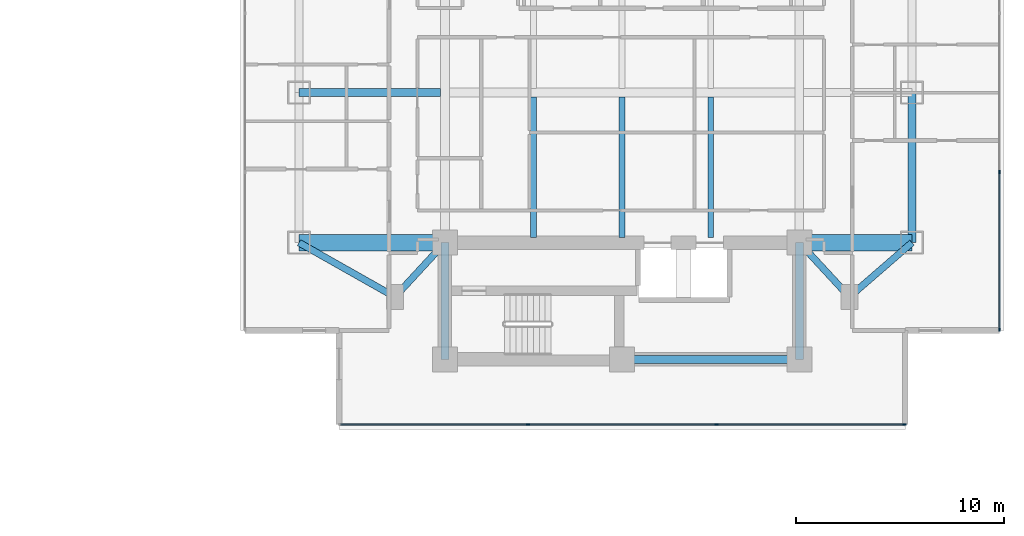
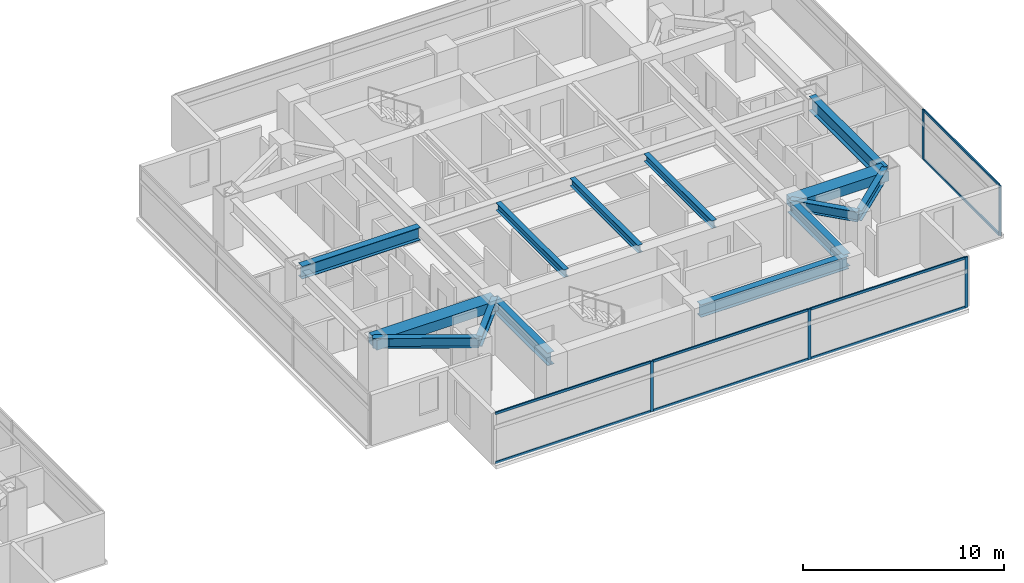
# One storey, part 8 of 24: 14 beams, 13 members, 2 elements without a shape of their own.
"""IFC4 building model written with IfcOpenShell, lengths in metres."""

from ifc_helpers import new_model, si_unit, direction, frame, origin, origin_2d, place, context, subcontext, project, spatial, rectangle, i_section, extrude, material, material_profile, profile_set, type_object, element, aggregate, save


model = new_model("IFC4")

# Units and contexts
model_context = context("Model", 3, precision=1e-05, world=origin(), true_north=direction((0.0, 1.0)))
body_context = subcontext(model_context, "Body", "Model", "MODEL_VIEW")
ifc_project = project(units=[si_unit("LENGTHUNIT", "METRE"), si_unit("AREAUNIT", "SQUARE_METRE"), si_unit("VOLUMEUNIT", "CUBIC_METRE"), si_unit("PLANEANGLEUNIT", "RADIAN"), si_unit("MASSUNIT", "GRAM", prefix="KILO")], contexts=[model_context])

# Site, building, storey
site_placement = place(None, origin())
site = spatial("IfcSite", under=ifc_project, at=site_placement, CompositionType="ELEMENT")
building_placement = place(site_placement, origin())
building = spatial("IfcBuilding", under=site, at=building_placement, Name="Mirazonda Arch Towers", CompositionType="ELEMENT")
storey_placement = place(building_placement, frame((0.0, 0.0, 101.60009765625)))
storey = spatial("IfcBuildingStorey", under=building, at=storey_placement, Name="L28", CompositionType="ELEMENT", Elevation=101.60009765625)

# Beams
ifc_material_1 = material(Name="Steel ASTM A992 Grade 50", Category="steel")
ifc_material_profile_1 = material_profile(ifc_material_1, i_section(OverallWidth=0.39990234375, OverallDepth=0.85595703125, WebThickness=0.018310546875, FlangeThickness=0.029296875, at=origin_2d()), Name="W33X201")
ifc_profile_set_1 = profile_set([ifc_material_profile_1], Name="Steel ASTM A992 Grade 50")
beam_type_1 = type_object("IfcBeamType", Name="BM-EXT-W33X201", PredefinedType="USERDEFINED", material=ifc_profile_set_1)
beam_1_placement = place(storey_placement, frame((90.39990234375, 20.800048828125, 2.65185546875), z_axis=(0.0, 1.0, 0.0), x_axis=(-1.0, 0.0, 0.0)))
element("IfcBeam", 1, at=beam_1_placement, inside=storey, type_object=beam_type_1, Name="L28 Floor Beam BM-T2-L28-NS-E-20", ObjectType="GIRDER", PredefinedType="USERDEFINED", context=body_context, shape_type="SweptSolid", body=[
    extrude(i_section(OverallWidth=0.39990234375, OverallDepth=0.85595703125, WebThickness=0.018310546875, FlangeThickness=0.029296875, at=origin_2d()), origin(), (0.0, 0.0, 1.0), 7.199951171875),
])
ifc_material_profile_2 = material_profile(ifc_material_1, i_section(OverallWidth=0.280029296875, OverallDepth=0.462890625, WebThickness=0.0107421875, FlangeThickness=0.017333984375, at=origin_2d()), Name="W18X76")
ifc_profile_set_2 = profile_set([ifc_material_profile_2], Name="Steel ASTM A992 Grade 50")
beam_type_2 = type_object("IfcBeamType", Name="BM-INT-W18X76", PredefinedType="JOIST", material=ifc_profile_set_2)
for number, where, z_axis, x_axis, name in (
    (2, (72.25, 21.0400390625, 2.848388671875), (0.0, 1.0, 0.0), (-1.0, 0.0, 0.0), "L28 Floor Beam BM-T2-L28-J-722-20"),
    (3, (76.5, 21.0400390625, 2.848388671875), (0.0, 1.0, 0.0), (-1.0, 0.0, 0.0), "L28 Floor Beam BM-T2-L28-J-765-20"),
    (4, (80.75, 21.0400390625, 2.848388671875), (0.0, 1.0, 0.0), (-1.0, 0.0, 0.0), "L28 Floor Beam BM-T2-L28-J-807-20"),
):
    element("IfcBeam", number, at=place(storey_placement, frame(where, z_axis=z_axis, x_axis=x_axis)), inside=storey, type_object=beam_type_2, Name=name, PredefinedType="JOIST", context=body_context, shape_type="SweptSolid", body=[
        extrude(i_section(OverallWidth=0.280029296875, OverallDepth=0.462890625, WebThickness=0.0107421875, FlangeThickness=0.017333984375, at=origin_2d()), origin(), (0.0, 0.0, 1.0), 6.7548828125),
    ])
ifc_material_profile_3 = material_profile(ifc_material_1, i_section(OverallWidth=0.324951171875, OverallDepth=0.615966796875, WebThickness=0.013916015625, FlangeThickness=0.021484375, at=origin_2d()), Name="W24X117")
ifc_profile_set_3 = profile_set([ifc_material_profile_3], Name="Steel ASTM A992 Grade 50")
beam_type_3 = type_object("IfcBeamType", Name="BM-INT-W24X117", PredefinedType="BEAM", material=ifc_profile_set_3)
beam_2_placement = place(storey_placement, frame((65.60009765625, 18.199951171875, 2.77197265625), z_axis=(0.678251444854, 0.734829897019, 0.0), x_axis=(-0.734829897019, 0.678251444854, 0.0)))
element("IfcBeam", 5, at=beam_2_placement, inside=storey, type_object=beam_type_3, Name="L28 Floor Beam BM-T2-L28-PL-SW1", PredefinedType="BEAM", context=body_context, shape_type="SweptSolid", body=[
    extrude(i_section(OverallWidth=0.324951171875, OverallDepth=0.615966796875, WebThickness=0.013916015625, FlangeThickness=0.021484375, at=origin_2d()), origin(), (0.0, 0.0, 1.0), 3.538330078125),
])
beam_3_placement = place(storey_placement, frame((65.60009765625, 18.199951171875, 2.77197265625), z_axis=(-0.870559396632, 0.492063346467, 0.0), x_axis=(-0.492063346467, -0.870559396632, 0.0)))
element("IfcBeam", 6, at=beam_3_placement, inside=storey, type_object=beam_type_3, Name="L28 Floor Beam BM-T2-L28-PL-SW2", PredefinedType="BEAM", context=body_context, shape_type="SweptSolid", body=[
    extrude(i_section(OverallWidth=0.324951171875, OverallDepth=0.615966796875, WebThickness=0.013916015625, FlangeThickness=0.021484375, at=origin_2d()), origin(), (0.0, 0.0, 1.0), 5.2841796875),
])
beam_4_placement = place(storey_placement, frame((87.39990234375, 18.199951171875, 2.77197265625), z_axis=(-0.678251444854, 0.734829897019, 0.0), x_axis=(-0.734829897019, -0.678251444854, 0.0)))
element("IfcBeam", 7, at=beam_4_placement, inside=storey, type_object=beam_type_3, Name="L28 Floor Beam BM-T2-L28-PL-SE1", PredefinedType="BEAM", context=body_context, shape_type="SweptSolid", body=[
    extrude(i_section(OverallWidth=0.324951171875, OverallDepth=0.615966796875, WebThickness=0.013916015625, FlangeThickness=0.021484375, at=origin_2d()), origin(), (0.0, 0.0, 1.0), 3.538330078125),
])
beam_5_placement = place(storey_placement, frame((87.39990234375, 18.199951171875, 2.77197265625), z_axis=(0.755676908098, 0.654944585876, 0.0), x_axis=(-0.654944585876, 0.755676908098, 0.0)))
element("IfcBeam", 8, at=beam_5_placement, inside=storey, type_object=beam_type_3, Name="L28 Floor Beam BM-T2-L28-PL-SE2", PredefinedType="BEAM", context=body_context, shape_type="SweptSolid", body=[
    extrude(i_section(OverallWidth=0.324951171875, OverallDepth=0.615966796875, WebThickness=0.013916015625, FlangeThickness=0.021484375, at=origin_2d()), origin(), (0.0, 0.0, 1.0), 3.969970703125),
])
ifc_material_profile_4 = material_profile(ifc_material_1, i_section(OverallWidth=0.381103515625, OverallDepth=0.77294921875, WebThickness=0.0166015625, FlangeThickness=0.027099609375, at=origin_2d()), Name="W30X173")
ifc_profile_set_4 = profile_set([ifc_material_profile_4], Name="Steel ASTM A992 Grade 50")
beam_type_4 = type_object("IfcBeamType", Name="BM-INT-W30X173", PredefinedType="USERDEFINED", material=ifc_profile_set_4)
beam_6_placement = place(storey_placement, frame((76.5, 15.199951171875, 2.693359375), z_axis=(1.0, 0.0, 0.0), x_axis=(0.0, 1.0, 0.0)))
element("IfcBeam", 9, at=beam_6_placement, inside=storey, type_object=beam_type_4, Name="L28 Floor Beam BM-T2-L28-CS2", ObjectType="GIRDER", PredefinedType="USERDEFINED", context=body_context, shape_type="SweptSolid", body=[
    extrude(i_section(OverallWidth=0.381103515625, OverallDepth=0.77294921875, WebThickness=0.0166015625, FlangeThickness=0.027099609375, at=origin_2d()), origin(), (0.0, 0.0, 1.0), 8.5),
])
for number, where, z_axis, x_axis, name in (
    (10, (68.0, 15.199951171875, 2.693359375), (0.0, 1.0, 0.0), (-1.0, 0.0, 0.0), "L28 Floor Beam BM-T2-L28-CSW"),
    (11, (85.0, 15.199951171875, 2.693359375), (0.0, 1.0, 0.0), (-1.0, 0.0, 0.0), "L28 Floor Beam BM-T2-L28-CSE"),
):
    element("IfcBeam", number, at=place(storey_placement, frame(where, z_axis=z_axis, x_axis=x_axis)), inside=storey, type_object=beam_type_4, Name=name, ObjectType="GIRDER", PredefinedType="USERDEFINED", context=body_context, shape_type="SweptSolid", body=[
        extrude(i_section(OverallWidth=0.381103515625, OverallDepth=0.77294921875, WebThickness=0.0166015625, FlangeThickness=0.027099609375, at=origin_2d()), origin(), (0.0, 0.0, 1.0), 5.60009765625),
    ])
beam_7_placement = place(storey_placement, frame((61.0, 28.0, 2.693359375), z_axis=(1.0, 0.0, 0.0), x_axis=(0.0, 1.0, 0.0)))
element("IfcBeam", 12, at=beam_7_placement, inside=storey, type_object=beam_type_4, Name="L28 Floor Beam BM-T2-L28-GW2", ObjectType="GIRDER", PredefinedType="USERDEFINED", context=body_context, shape_type="SweptSolid", body=[
    extrude(i_section(OverallWidth=0.381103515625, OverallDepth=0.77294921875, WebThickness=0.0166015625, FlangeThickness=0.027099609375, at=origin_2d()), origin(), (0.0, 0.0, 1.0), 6.791015625),
])
ifc_material_2 = material(Name="Concrete C60/75", Category="concrete")
ifc_material_profile_5 = material_profile(ifc_material_2, rectangle(XDim=0.800048828125, YDim=0.60009765625, at=origin_2d()), Name="RCCB800x600")
ifc_profile_set_5 = profile_set([ifc_material_profile_5], Name="Concrete C60/75")
beam_type_5 = type_object("IfcBeamType", Name="CB-INT-RCCB800x600", PredefinedType="SPANDREL", material=ifc_profile_set_5)
beam_8_placement = place(storey_placement, frame((61.0, 20.800048828125, 2.77978515625), z_axis=(1.0, 0.0, 0.0), x_axis=(0.0, 1.0, 0.0)))
element("IfcBeam", 13, at=beam_8_placement, inside=storey, type_object=beam_type_5, Name="L28 Floor Beam CBC-T2-L28-SW", PredefinedType="SPANDREL", context=body_context, shape_type="SweptSolid", body=[
    extrude(rectangle(XDim=0.800048828125, YDim=0.60009765625, at=origin_2d()), origin(), (0.0, 0.0, 1.0), 7.0),
])
beam_9_placement = place(storey_placement, frame((85.0, 20.800048828125, 2.77978515625), z_axis=(1.0, 0.0, 0.0), x_axis=(0.0, 1.0, 0.0)))
element("IfcBeam", 14, at=beam_9_placement, inside=storey, type_object=beam_type_5, Name="L28 Floor Beam CBC-T2-L28-SE", PredefinedType="SPANDREL", context=body_context, shape_type="SweptSolid", body=[
    extrude(rectangle(XDim=0.800048828125, YDim=0.60009765625, at=origin_2d()), origin(), (0.0, 0.0, 1.0), 5.39990234375),
])

# Curtain wall, members
ifc_material_3 = material(Name="Anodised Aluminium and Low-E Glass", Category="aluminium")
curtain_wall_type = type_object("IfcCurtainWallType", Name="CW-HTL-UNIT", PredefinedType="NOTDEFINED", material=ifc_material_3)
curtain_wall_1_placement = place(storey_placement, origin())
curtain_wall_1 = element("IfcCurtainWall", 15, at=curtain_wall_1_placement, inside=storey, type_object=curtain_wall_type, Name="L28 T2 S Facade CW-L28-T2-S", PredefinedType="NOTDEFINED")
ifc_material_4 = material(Name="Anodised Aluminium Alloy", Category="aluminium")
ifc_material_profile_6 = material_profile(ifc_material_4, rectangle(XDim=0.074951171875, YDim=0.1650390625, at=origin_2d()), Name="ALU-MULL-75x165")
ifc_profile_set_6 = profile_set([ifc_material_profile_6], Name="Anodised Aluminium Alloy")
member_type_1 = type_object("IfcMemberType", Name="MULL-CW-HTL-UNIT", PredefinedType="MULLION", material=ifc_profile_set_6)
member_1_placement = place(storey_placement, frame((90.040771484375, 12.0693359375, 0.0), z_axis=(0.0, 0.0, 1.0), x_axis=(0.0, -1.0, 0.0)))
member_1 = element("IfcMember", 16, at=member_1_placement, type_object=member_type_1, Name="CW-112 mullion 1", PredefinedType="MULLION", context=body_context, shape_type="SweptSolid", body=[
    extrude(rectangle(XDim=0.074951171875, YDim=0.1650390625, at=origin_2d()), origin(), (0.0, 0.0, 1.0), 3.059814453125),
])
member_2_placement = place(storey_placement, frame((81.026123046875, 12.0693359375, 0.0), z_axis=(0.0, 0.0, 1.0), x_axis=(0.0, -1.0, 0.0)))
member_2 = element("IfcMember", 17, at=member_2_placement, type_object=member_type_1, Name="CW-112 mullion 2", PredefinedType="MULLION", context=body_context, shape_type="SweptSolid", body=[
    extrude(rectangle(XDim=0.074951171875, YDim=0.1650390625, at=origin_2d()), origin(), (0.0, 0.0, 1.0), 3.059814453125),
])
member_3_placement = place(storey_placement, frame((71.973876953125, 12.0693359375, 0.0), z_axis=(0.0, 0.0, 1.0), x_axis=(0.0, -1.0, 0.0)))
member_3 = element("IfcMember", 18, at=member_3_placement, type_object=member_type_1, Name="CW-112 mullion 3", PredefinedType="MULLION", context=body_context, shape_type="SweptSolid", body=[
    extrude(rectangle(XDim=0.074951171875, YDim=0.1650390625, at=origin_2d()), origin(), (0.0, 0.0, 1.0), 3.059814453125),
])

curtain_wall_2_placement = place(storey_placement, origin())
curtain_wall_2 = element("IfcCurtainWall", 19, at=curtain_wall_2_placement, inside=storey, type_object=curtain_wall_type, Name="L28 T2 E Facade CW-L28-T2-E", PredefinedType="NOTDEFINED")
member_4_placement = place(storey_placement, frame((94.594482421875, 16.623046875, 0.0), z_axis=(0.0, 0.0, 1.0), x_axis=(-1.0, 0.0, 0.0)))
member_4 = element("IfcMember", 20, at=member_4_placement, type_object=member_type_1, Name="CW-112 mullion 1", PredefinedType="MULLION", context=body_context, shape_type="SweptSolid", body=[
    extrude(rectangle(XDim=0.074951171875, YDim=0.1650390625, at=origin_2d()), origin(), (0.0, 0.0, 1.0), 3.059814453125),
])
member_5_placement = place(storey_placement, frame((94.594482421875, 24.1953125, 0.0), z_axis=(0.0, 0.0, 1.0), x_axis=(-1.0, 0.0, 0.0)))
member_5 = element("IfcMember", 21, at=member_5_placement, type_object=member_type_1, Name="CW-112 mullion 2", PredefinedType="MULLION", context=body_context, shape_type="SweptSolid", body=[
    extrude(rectangle(XDim=0.074951171875, YDim=0.1650390625, at=origin_2d()), origin(), (0.0, 0.0, 1.0), 3.059814453125),
])

# Member
ifc_material_profile_7 = material_profile(ifc_material_4, rectangle(XDim=0.074951171875, YDim=0.14501953125, at=origin_2d()), Name="ALU-TRAN-75x145")
ifc_profile_set_7 = profile_set([ifc_material_profile_7], Name="Anodised Aluminium Alloy")
member_type_2 = type_object("IfcMemberType", Name="TRAN-CW-HTL-UNIT", PredefinedType="USERDEFINED", material=ifc_profile_set_7)
member_6_placement = place(storey_placement, frame((90.003173828125, 12.0693359375, 0.037353515625), z_axis=(-1.0, 0.0, 0.0), x_axis=(0.0, -1.0, 0.0)))
member_6 = element("IfcMember", 22, at=member_6_placement, type_object=member_type_2, Name="CW-112 transom 1.1", ObjectType="TRANSOM", PredefinedType="USERDEFINED", context=body_context, shape_type="SweptSolid", body=[
    extrude(rectangle(XDim=0.074951171875, YDim=0.14501953125, at=origin_2d()), origin(), (0.0, 0.0, 1.0), 8.939697265625),
])

member_7_placement = place(storey_placement, frame((90.003173828125, 12.0693359375, 3.0224609375), z_axis=(-1.0, 0.0, 0.0), x_axis=(0.0, -1.0, 0.0)))
member_7 = element("IfcMember", 23, at=member_7_placement, type_object=member_type_2, Name="CW-112 transom 1.2", ObjectType="TRANSOM", PredefinedType="USERDEFINED", context=body_context, shape_type="SweptSolid", body=[
    extrude(rectangle(XDim=0.074951171875, YDim=0.14501953125, at=origin_2d()), origin(), (0.0, 0.0, 1.0), 8.939697265625),
])

member_8_placement = place(storey_placement, frame((80.988525390625, 12.0693359375, 0.037353515625), z_axis=(-1.0, 0.0, 0.0), x_axis=(0.0, -1.0, 0.0)))
member_8 = element("IfcMember", 24, at=member_8_placement, type_object=member_type_2, Name="CW-112 transom 2.1", ObjectType="TRANSOM", PredefinedType="USERDEFINED", context=body_context, shape_type="SweptSolid", body=[
    extrude(rectangle(XDim=0.074951171875, YDim=0.14501953125, at=origin_2d()), origin(), (0.0, 0.0, 1.0), 8.97705078125),
])

member_9_placement = place(storey_placement, frame((80.988525390625, 12.0693359375, 3.0224609375), z_axis=(-1.0, 0.0, 0.0), x_axis=(0.0, -1.0, 0.0)))
member_9 = element("IfcMember", 25, at=member_9_placement, type_object=member_type_2, Name="CW-112 transom 2.2", ObjectType="TRANSOM", PredefinedType="USERDEFINED", context=body_context, shape_type="SweptSolid", body=[
    extrude(rectangle(XDim=0.074951171875, YDim=0.14501953125, at=origin_2d()), origin(), (0.0, 0.0, 1.0), 8.97705078125),
])

member_10_placement = place(storey_placement, frame((71.9365234375, 12.0693359375, 0.037353515625), z_axis=(-1.0, 0.0, 0.0), x_axis=(0.0, -1.0, 0.0)))
member_10 = element("IfcMember", 26, at=member_10_placement, type_object=member_type_2, Name="CW-112 transom 3.1", ObjectType="TRANSOM", PredefinedType="USERDEFINED", context=body_context, shape_type="SweptSolid", body=[
    extrude(rectangle(XDim=0.074951171875, YDim=0.14501953125, at=origin_2d()), origin(), (0.0, 0.0, 1.0), 8.939697265625),
])

member_11_placement = place(storey_placement, frame((71.9365234375, 12.0693359375, 3.0224609375), z_axis=(-1.0, 0.0, 0.0), x_axis=(0.0, -1.0, 0.0)))
member_11 = element("IfcMember", 27, at=member_11_placement, type_object=member_type_2, Name="CW-112 transom 3.2", ObjectType="TRANSOM", PredefinedType="USERDEFINED", context=body_context, shape_type="SweptSolid", body=[
    extrude(rectangle(XDim=0.074951171875, YDim=0.14501953125, at=origin_2d()), origin(), (0.0, 0.0, 1.0), 8.939697265625),
])

aggregate(curtain_wall_1, [member_1, member_2, member_3, member_6, member_7, member_8, member_9, member_10, member_11])

member_12_placement = place(storey_placement, frame((94.594482421875, 16.66064453125, 0.037353515625), z_axis=(0.0, 1.0, 0.0), x_axis=(-1.0, 0.0, 0.0)))
member_12 = element("IfcMember", 28, at=member_12_placement, type_object=member_type_2, Name="CW-112 transom 1.1", ObjectType="TRANSOM", PredefinedType="USERDEFINED", context=body_context, shape_type="SweptSolid", body=[
    extrude(rectangle(XDim=0.074951171875, YDim=0.14501953125, at=origin_2d()), origin(), (0.0, 0.0, 1.0), 7.4970703125),
])

member_13_placement = place(storey_placement, frame((94.594482421875, 16.66064453125, 3.0224609375), z_axis=(0.0, 1.0, 0.0), x_axis=(-1.0, 0.0, 0.0)))
member_13 = element("IfcMember", 29, at=member_13_placement, type_object=member_type_2, Name="CW-112 transom 1.2", ObjectType="TRANSOM", PredefinedType="USERDEFINED", context=body_context, shape_type="SweptSolid", body=[
    extrude(rectangle(XDim=0.074951171875, YDim=0.14501953125, at=origin_2d()), origin(), (0.0, 0.0, 1.0), 7.4970703125),
])

aggregate(curtain_wall_2, [member_4, member_5, member_12, member_13])

save(model, "model.ifc")
